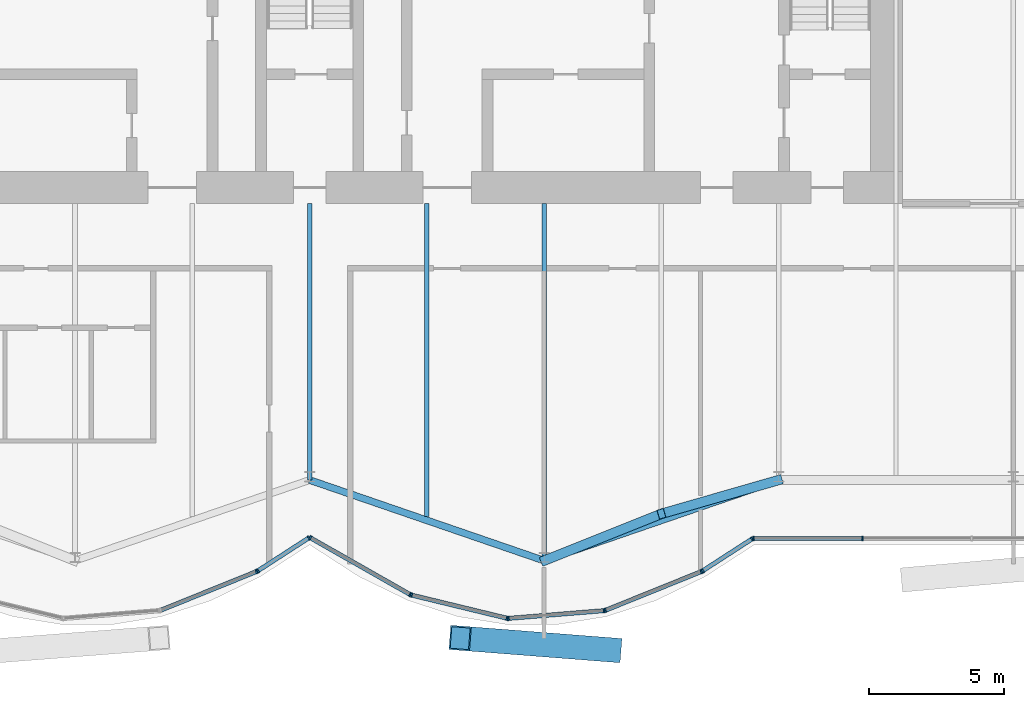
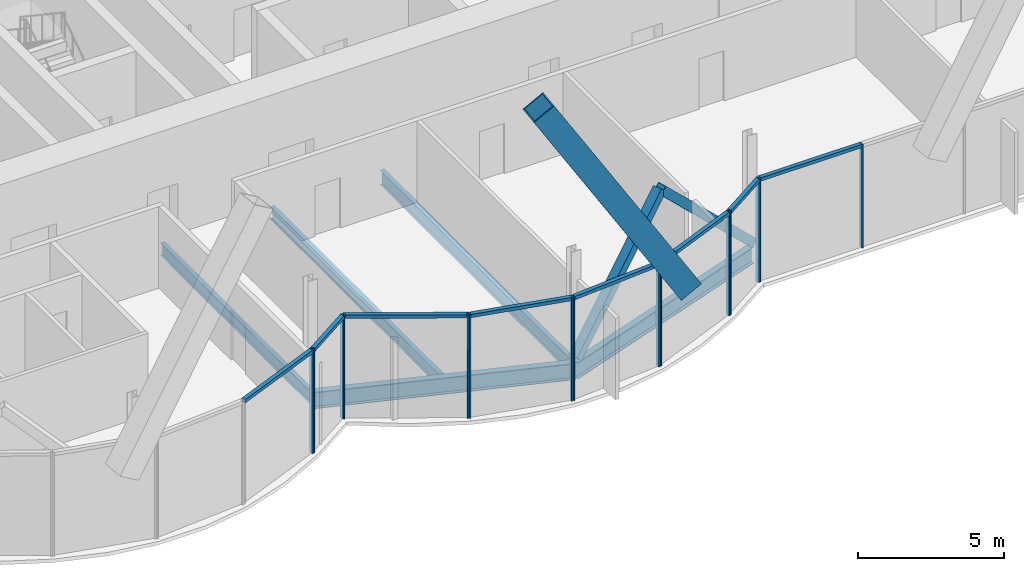
# One storey, part 8 of 19: 26 members, 5 beams, 3 elements without a shape of their own.
"""IFC4 building model written with IfcOpenShell, lengths in metres."""

from ifc_helpers import new_model, si_unit, direction, frame, origin, origin_2d, place, context, subcontext, project, spatial, rectangle, hollow_rectangle, i_section, extrude, material, material_profile, profile_set, type_object, element, aggregate, save


model = new_model("IFC4")

# Units and contexts
model_context = context("Model", 3, precision=1e-05, world=origin(), true_north=direction((0.0, 1.0)))
body_context = subcontext(model_context, "Body", "Model", "MODEL_VIEW")
ifc_project = project(units=[si_unit("LENGTHUNIT", "METRE"), si_unit("AREAUNIT", "SQUARE_METRE"), si_unit("VOLUMEUNIT", "CUBIC_METRE"), si_unit("PLANEANGLEUNIT", "RADIAN"), si_unit("MASSUNIT", "GRAM", prefix="KILO")], contexts=[model_context])

# Site, building, storey
site_placement = place(None, origin())
site = spatial("IfcSite", under=ifc_project, at=site_placement, CompositionType="ELEMENT")
building_placement = place(site_placement, origin())
building = spatial("IfcBuilding", under=site, at=building_placement, Name="Bicima Exchange Tower", CompositionType="ELEMENT")
storey_placement = place(building_placement, frame((0.0, 0.0, 324.5)))
storey = spatial("IfcBuildingStorey", under=building, at=storey_placement, Name="L73", CompositionType="ELEMENT", Elevation=324.5)

# Member
ifc_material_1 = material(Name="Steel ASTM A572 Gr 50", Category="steel")
ifc_material_profile_1 = material_profile(ifc_material_1, hollow_rectangle(XDim=0.89990234375, YDim=0.89990234375, WallThickness=0.050048828125, at=origin_2d()))
ifc_profile_set_1 = profile_set([ifc_material_profile_1], Name="Steel ASTM A572 Gr 50")
member_type_1 = type_object("IfcMemberType", Name="Exo mega brace BOX 900x900x50", PredefinedType="BRACE", material=ifc_profile_set_1)
member_1_placement = place(storey_placement, frame((11.166748046875, -29.551025390625, 4.166748046875), z_axis=(-0.520816033823, 0.040490201493, 0.852708157869), x_axis=(-0.077509883507, -0.996991583695, 0.0)))
element("IfcMember", 1, at=member_1_placement, inside=storey, type_object=member_type_1, Name="Exo mega brace front", PredefinedType="BRACE", context=body_context, shape_type="SweptSolid", body=[
    extrude(hollow_rectangle(XDim=0.89990234375, YDim=0.89990234375, WallThickness=0.050048828125, at=origin_2d()), origin(), (0.0, 0.0, 1.0), 10.720703125),
])

# Beams
ifc_material_2 = material(Name="Steel ASTM A992 Gr 50", Category="steel")
ifc_material_profile_2 = material_profile(ifc_material_2, i_section(OverallWidth=0.165771484375, OverallDepth=0.5283203125, WebThickness=0.009765625, FlangeThickness=0.013671875, at=origin_2d()))
ifc_profile_set_2 = profile_set([ifc_material_profile_2], Name="Steel ASTM A992 Gr 50")
beam_type_1 = type_object("IfcBeamType", Name="Floor beam W21x50", PredefinedType="JOIST", material=ifc_profile_set_2)
beam_1_placement = place(storey_placement, frame((0.0, -13.0, -0.414306640625), z_axis=(0.0, -1.0, 0.0), x_axis=(1.0, 0.0, 0.0)))
element("IfcBeam", 2, at=beam_1_placement, inside=storey, type_object=beam_type_1, Name="Floor beam", PredefinedType="JOIST", context=body_context, shape_type="SweptSolid", body=[
    extrude(i_section(OverallWidth=0.165771484375, OverallDepth=0.5283203125, WebThickness=0.009765625, FlangeThickness=0.013671875, at=origin_2d()), origin(), (0.0, 0.0, 1.0), 10.251953125),
])
beam_2_placement = place(storey_placement, frame((4.35009765625, -13.0, -0.414306640625), z_axis=(0.0, -1.0, 0.0), x_axis=(1.0, 0.0, 0.0)))
element("IfcBeam", 3, at=beam_2_placement, inside=storey, type_object=beam_type_1, Name="Floor beam", PredefinedType="JOIST", context=body_context, shape_type="SweptSolid", body=[
    extrude(i_section(OverallWidth=0.165771484375, OverallDepth=0.5283203125, WebThickness=0.009765625, FlangeThickness=0.013671875, at=origin_2d()), origin(), (0.0, 0.0, 1.0), 11.61181640625),
])
ifc_material_profile_3 = material_profile(ifc_material_2, i_section(OverallWidth=0.177978515625, OverallDepth=0.599365234375, WebThickness=0.010009765625, FlangeThickness=0.012939453125, at=origin_2d()))
ifc_profile_set_3 = profile_set([ifc_material_profile_3], Name="Steel ASTM A992 Gr 50")
beam_type_2 = type_object("IfcBeamType", Name="Floor beam W24x55", PredefinedType="JOIST", material=ifc_profile_set_3)
beam_3_placement = place(storey_placement, frame((8.699951171875, -13.0, -0.44970703125), z_axis=(0.0, -1.0, 0.0), x_axis=(1.0, 0.0, 0.0)))
element("IfcBeam", 4, at=beam_3_placement, inside=storey, type_object=beam_type_2, Name="Floor beam", PredefinedType="JOIST", context=body_context, shape_type="SweptSolid", body=[
    extrude(i_section(OverallWidth=0.177978515625, OverallDepth=0.599365234375, WebThickness=0.010009765625, FlangeThickness=0.012939453125, at=origin_2d()), origin(), (0.0, 0.0, 1.0), 13.107421875),
])
ifc_material_profile_4 = material_profile(ifc_material_2, i_section(OverallWidth=0.256591796875, OverallDepth=0.693359375, WebThickness=0.014404296875, FlangeThickness=0.023681640625, at=origin_2d()))
ifc_profile_set_4 = profile_set([ifc_material_profile_4], Name="Steel ASTM A992 Gr 50")
beam_type_3 = type_object("IfcBeamType", Name="Front girder W27x114", PredefinedType="BEAM", material=ifc_profile_set_4)
for number, where, z_axis, x_axis, name in (
    (5, (0.0, -23.251953125, -0.49658203125), (0.945666456746, -0.325138359143, 0.0), (0.325138359143, 0.945666456746, 0.0), "Front girder"),
    (6, (8.699951171875, -26.2431640625, -0.49658203125), (0.945666456746, 0.325138359143, 0.0), (-0.325138359143, 0.945666456746, 0.0), "Front girder"),
):
    element("IfcBeam", number, at=place(storey_placement, frame(where, z_axis=z_axis, x_axis=x_axis)), inside=storey, type_object=beam_type_3, Name=name, PredefinedType="BEAM", context=body_context, shape_type="SweptSolid", body=[
        extrude(i_section(OverallWidth=0.256591796875, OverallDepth=0.693359375, WebThickness=0.014404296875, FlangeThickness=0.023681640625, at=origin_2d()), origin(), (0.0, 0.0, 1.0), 9.19970703125),
    ])

# Curtain wall, members
ifc_material_3 = material(Name="Anodised bronze aluminium", Category="aluminium")
curtain_wall_type = type_object("IfcCurtainWallType", Name="Front glass wall", PredefinedType="NOTDEFINED", material=ifc_material_3)
curtain_wall_1_placement = place(storey_placement, origin())
curtain_wall_1 = element("IfcCurtainWall", 7, at=curtain_wall_1_placement, inside=storey, type_object=curtain_wall_type, Name="Front glass wall L73 run 6", PredefinedType="NOTDEFINED")
ifc_material_profile_5 = material_profile(ifc_material_3, rectangle(XDim=0.159912109375, YDim=0.06005859375, at=origin_2d()))
ifc_profile_set_5 = profile_set([ifc_material_profile_5], Name="Anodised bronze aluminium")
member_type_2 = type_object("IfcMemberType", Name="Front glass wall mullion 60 x 160", PredefinedType="MULLION", material=ifc_profile_set_5)
member_2_placement = place(storey_placement, frame((-1.97412109375, -26.647705078125, 0.0), z_axis=(0.0, 0.0, 1.0), x_axis=(-0.374705304, 0.92714396679, 0.0)))
member_2 = element("IfcMember", 8, at=member_2_placement, type_object=member_type_2, Name="Front glass wall mullion 2", PredefinedType="MULLION", context=body_context, shape_type="SweptSolid", body=[
    extrude(rectangle(XDim=0.159912109375, YDim=0.06005859375, at=origin_2d()), origin(), (0.0, 0.0, 1.0), 4.35009765625),
])
member_3_placement = place(storey_placement, frame((-1.921142578125, -26.6201171875, 0.0), z_axis=(0.0, 0.0, 1.0), x_axis=(-0.542897457326, 0.839798994301, 0.0)))
member_3 = element("IfcMember", 9, at=member_3_placement, type_object=member_type_2, Name="Front glass wall mullion 1", PredefinedType="MULLION", context=body_context, shape_type="SweptSolid", body=[
    extrude(rectangle(XDim=0.159912109375, YDim=0.06005859375, at=origin_2d()), origin(), (0.0, 0.0, 1.0), 4.35009765625),
])
member_4_placement = place(storey_placement, frame((-0.025146484375, -25.394287109375, 0.0), z_axis=(0.0, 0.0, 1.0), x_axis=(-0.542897457326, 0.839798994301, 0.0)))
member_4 = element("IfcMember", 10, at=member_4_placement, type_object=member_type_2, Name="Front glass wall mullion 2", PredefinedType="MULLION", context=body_context, shape_type="SweptSolid", body=[
    extrude(rectangle(XDim=0.159912109375, YDim=0.06005859375, at=origin_2d()), origin(), (0.0, 0.0, 1.0), 4.35009765625),
])

curtain_wall_2_placement = place(storey_placement, origin())
curtain_wall_2 = element("IfcCurtainWall", 11, at=curtain_wall_2_placement, inside=storey, type_object=curtain_wall_type, Name="Front glass wall L73 run 11", PredefinedType="NOTDEFINED")
member_5_placement = place(storey_placement, frame((0.026123046875, -25.39306640625, 0.0), z_axis=(0.0, 0.0, 1.0), x_axis=(0.494330311331, 0.869274147378, 0.0)))
member_5 = element("IfcMember", 12, at=member_5_placement, type_object=member_type_2, Name="Front glass wall mullion 1", PredefinedType="MULLION", context=body_context, shape_type="SweptSolid", body=[
    extrude(rectangle(XDim=0.159912109375, YDim=0.06005859375, at=origin_2d()), origin(), (0.0, 0.0, 1.0), 4.35009765625),
])
member_6_placement = place(storey_placement, frame((3.7265625, -27.497314453125, 0.0), z_axis=(0.0, 0.0, 1.0), x_axis=(0.494330311331, 0.869274147378, 0.0)))
member_6 = element("IfcMember", 13, at=member_6_placement, type_object=member_type_2, Name="Front glass wall mullion 2", PredefinedType="MULLION", context=body_context, shape_type="SweptSolid", body=[
    extrude(rectangle(XDim=0.159912109375, YDim=0.06005859375, at=origin_2d()), origin(), (0.0, 0.0, 1.0), 4.35009765625),
])
member_7_placement = place(storey_placement, frame((3.781982421875, -27.519287109375, 0.0), z_axis=(0.0, 0.0, 1.0), x_axis=(0.235681529503, 0.971830343553, 0.0)))
member_7 = element("IfcMember", 14, at=member_7_placement, type_object=member_type_2, Name="Front glass wall mullion 1", PredefinedType="MULLION", context=body_context, shape_type="SweptSolid", body=[
    extrude(rectangle(XDim=0.159912109375, YDim=0.06005859375, at=origin_2d()), origin(), (0.0, 0.0, 1.0), 4.35009765625),
])
member_8_placement = place(storey_placement, frame((7.322509765625, -28.3779296875, 0.0), z_axis=(0.0, 0.0, 1.0), x_axis=(0.235681529503, 0.971830343553, 0.0)))
member_8 = element("IfcMember", 15, at=member_8_placement, type_object=member_type_2, Name="Front glass wall mullion 2", PredefinedType="MULLION", context=body_context, shape_type="SweptSolid", body=[
    extrude(rectangle(XDim=0.159912109375, YDim=0.06005859375, at=origin_2d()), origin(), (0.0, 0.0, 1.0), 4.35009765625),
])
member_9_placement = place(storey_placement, frame((7.381591796875, -28.382568359375, 0.0), z_axis=(0.0, 0.0, 1.0), x_axis=(-0.080588612633, 0.99674744821, 0.0)))
member_9 = element("IfcMember", 16, at=member_9_placement, type_object=member_type_2, Name="Front glass wall mullion 1", PredefinedType="MULLION", context=body_context, shape_type="SweptSolid", body=[
    extrude(rectangle(XDim=0.159912109375, YDim=0.06005859375, at=origin_2d()), origin(), (0.0, 0.0, 1.0), 4.35009765625),
])
member_10_placement = place(storey_placement, frame((10.916015625, -28.0966796875, 0.0), z_axis=(0.0, 0.0, 1.0), x_axis=(-0.080588612633, 0.99674744821, 0.0)))
member_10 = element("IfcMember", 17, at=member_10_placement, type_object=member_type_2, Name="Front glass wall mullion 2", PredefinedType="MULLION", context=body_context, shape_type="SweptSolid", body=[
    extrude(rectangle(XDim=0.159912109375, YDim=0.06005859375, at=origin_2d()), origin(), (0.0, 0.0, 1.0), 4.35009765625),
])
member_11_placement = place(storey_placement, frame((10.973876953125, -28.083251953125, 0.0), z_axis=(0.0, 0.0, 1.0), x_axis=(-0.374705304, 0.92714396679, 0.0)))
member_11 = element("IfcMember", 18, at=member_11_placement, type_object=member_type_2, Name="Front glass wall mullion 1", PredefinedType="MULLION", context=body_context, shape_type="SweptSolid", body=[
    extrude(rectangle(XDim=0.159912109375, YDim=0.06005859375, at=origin_2d()), origin(), (0.0, 0.0, 1.0), 4.35009765625),
])
member_12_placement = place(storey_placement, frame((14.52587890625, -26.647705078125, 0.0), z_axis=(0.0, 0.0, 1.0), x_axis=(-0.374705304, 0.92714396679, 0.0)))
member_12 = element("IfcMember", 19, at=member_12_placement, type_object=member_type_2, Name="Front glass wall mullion 2", PredefinedType="MULLION", context=body_context, shape_type="SweptSolid", body=[
    extrude(rectangle(XDim=0.159912109375, YDim=0.06005859375, at=origin_2d()), origin(), (0.0, 0.0, 1.0), 4.35009765625),
])
member_13_placement = place(storey_placement, frame((14.578857421875, -26.6201171875, 0.0), z_axis=(0.0, 0.0, 1.0), x_axis=(-0.542909183079, 0.839791413941, 0.0)))
member_13 = element("IfcMember", 20, at=member_13_placement, type_object=member_type_2, Name="Front glass wall mullion 1", PredefinedType="MULLION", context=body_context, shape_type="SweptSolid", body=[
    extrude(rectangle(XDim=0.159912109375, YDim=0.06005859375, at=origin_2d()), origin(), (0.0, 0.0, 1.0), 4.35009765625),
])
member_14_placement = place(storey_placement, frame((16.406982421875, -25.438232421875, 0.0), z_axis=(0.0, 0.0, 1.0), x_axis=(-0.542909183079, 0.839791413941, 0.0)))
member_14 = element("IfcMember", 21, at=member_14_placement, type_object=member_type_2, Name="Front glass wall mullion 2", PredefinedType="MULLION", context=body_context, shape_type="SweptSolid", body=[
    extrude(rectangle(XDim=0.159912109375, YDim=0.06005859375, at=origin_2d()), origin(), (0.0, 0.0, 1.0), 4.35009765625),
])

curtain_wall_3_placement = place(storey_placement, origin())
curtain_wall_3 = element("IfcCurtainWall", 22, at=curtain_wall_3_placement, inside=storey, type_object=curtain_wall_type, Name="Front glass wall L73 run 16", PredefinedType="NOTDEFINED")
member_15_placement = place(storey_placement, frame((16.462158203125, -25.422119140625, 0.0), z_axis=(0.0, 0.0, 1.0), x_axis=(0.0, 1.0, 0.0)))
member_15 = element("IfcMember", 23, at=member_15_placement, type_object=member_type_2, Name="Front glass wall mullion 1", PredefinedType="MULLION", context=body_context, shape_type="SweptSolid", body=[
    extrude(rectangle(XDim=0.159912109375, YDim=0.06005859375, at=origin_2d()), origin(), (0.0, 0.0, 1.0), 4.35009765625),
])
member_16_placement = place(storey_placement, frame((20.51171875, -25.422119140625, 0.0), z_axis=(0.0, 0.0, 1.0), x_axis=(0.0, 1.0, 0.0)))
member_16 = element("IfcMember", 24, at=member_16_placement, type_object=member_type_2, Name="Front glass wall mullion 2", PredefinedType="MULLION", context=body_context, shape_type="SweptSolid", body=[
    extrude(rectangle(XDim=0.159912109375, YDim=0.06005859375, at=origin_2d()), origin(), (0.0, 0.0, 1.0), 4.35009765625),
])

# Member
ifc_material_profile_6 = material_profile(ifc_material_3, rectangle(XDim=0.159912109375, YDim=0.139892578125, at=origin_2d()))
ifc_profile_set_6 = profile_set([ifc_material_profile_6], Name="Anodised bronze aluminium")
member_type_3 = type_object("IfcMemberType", Name="Front glass wall transom 140 x 160", PredefinedType="USERDEFINED", material=ifc_profile_set_6)
member_17_placement = place(storey_placement, frame((-5.498291015625, -28.072021484375, 4.280029296875), z_axis=(0.927117723275, 0.374770232528, 0.0), x_axis=(-0.374770232528, 0.927117723275, 0.0)))
member_17 = element("IfcMember", 25, at=member_17_placement, type_object=member_type_3, Name="Front glass wall transom 1.1", ObjectType="TRANSOM", PredefinedType="USERDEFINED", context=body_context, shape_type="SweptSolid", body=[
    extrude(rectangle(XDim=0.159912109375, YDim=0.139892578125, at=origin_2d()), origin(), (0.0, 0.0, 1.0), 3.771240234375),
])

member_18_placement = place(storey_placement, frame((-1.89599609375, -26.603759765625, 4.280029296875), z_axis=(0.839811483481, 0.542878137536, 0.0), x_axis=(-0.542878137536, 0.839811483481, 0.0)))
member_18 = element("IfcMember", 26, at=member_18_placement, type_object=member_type_3, Name="Front glass wall transom 1.1", ObjectType="TRANSOM", PredefinedType="USERDEFINED", context=body_context, shape_type="SweptSolid", body=[
    extrude(rectangle(XDim=0.159912109375, YDim=0.139892578125, at=origin_2d()), origin(), (0.0, 0.0, 1.0), 2.19775390625),
])

aggregate(curtain_wall_1, [member_2, member_17, member_3, member_4, member_18])

member_19_placement = place(storey_placement, frame((0.05224609375, -25.40771484375, 4.280029296875), z_axis=(0.869265121745, -0.494346182466, 0.0), x_axis=(0.494346182466, 0.869265121745, 0.0)))
member_19 = element("IfcMember", 27, at=member_19_placement, type_object=member_type_3, Name="Front glass wall transom 1.1", ObjectType="TRANSOM", PredefinedType="USERDEFINED", context=body_context, shape_type="SweptSolid", body=[
    extrude(rectangle(XDim=0.159912109375, YDim=0.139892578125, at=origin_2d()), origin(), (0.0, 0.0, 1.0), 4.19677734375),
])

member_20_placement = place(storey_placement, frame((3.81103515625, -27.5263671875, 4.280029296875), z_axis=(0.971833557815, -0.235668275132, 0.0), x_axis=(0.235668275132, 0.971833557815, 0.0)))
member_20 = element("IfcMember", 28, at=member_20_placement, type_object=member_type_3, Name="Front glass wall transom 1.1", ObjectType="TRANSOM", PredefinedType="USERDEFINED", context=body_context, shape_type="SweptSolid", body=[
    extrude(rectangle(XDim=0.159912109375, YDim=0.139892578125, at=origin_2d()), origin(), (0.0, 0.0, 1.0), 3.583251953125),
])

member_21_placement = place(storey_placement, frame((7.41162109375, -28.380126953125, 4.280029296875), z_axis=(0.9967456465, 0.080610893699, 0.0), x_axis=(-0.080610893699, 0.9967456465, 0.0)))
member_21 = element("IfcMember", 29, at=member_21_placement, type_object=member_type_3, Name="Front glass wall transom 1.1", ObjectType="TRANSOM", PredefinedType="USERDEFINED", context=body_context, shape_type="SweptSolid", body=[
    extrude(rectangle(XDim=0.159912109375, YDim=0.139892578125, at=origin_2d()), origin(), (0.0, 0.0, 1.0), 3.48583984375),
])

member_22_placement = place(storey_placement, frame((11.001708984375, -28.072021484375, 4.280029296875), z_axis=(0.927117723275, 0.374770232528, 0.0), x_axis=(-0.374770232528, 0.927117723275, 0.0)))
member_22 = element("IfcMember", 30, at=member_22_placement, type_object=member_type_3, Name="Front glass wall transom 1.1", ObjectType="TRANSOM", PredefinedType="USERDEFINED", context=body_context, shape_type="SweptSolid", body=[
    extrude(rectangle(XDim=0.159912109375, YDim=0.139892578125, at=origin_2d()), origin(), (0.0, 0.0, 1.0), 3.771240234375),
])

member_23_placement = place(storey_placement, frame((14.60400390625, -26.603759765625, 4.280029296875), z_axis=(0.839792890287, 0.542906899407, 0.0), x_axis=(-0.542906899407, 0.839792890287, 0.0)))
member_23 = element("IfcMember", 31, at=member_23_placement, type_object=member_type_3, Name="Front glass wall transom 1.1", ObjectType="TRANSOM", PredefinedType="USERDEFINED", context=body_context, shape_type="SweptSolid", body=[
    extrude(rectangle(XDim=0.159912109375, YDim=0.139892578125, at=origin_2d()), origin(), (0.0, 0.0, 1.0), 2.11669921875),
])

aggregate(curtain_wall_2, [member_5, member_6, member_19, member_7, member_8, member_20, member_9, member_10, member_21, member_11, member_12, member_22, member_13, member_14, member_23])

member_24_placement = place(storey_placement, frame((16.4921875, -25.422119140625, 4.280029296875), z_axis=(1.0, 0.0, 0.0), x_axis=(0.0, 1.0, 0.0)))
member_24 = element("IfcMember", 32, at=member_24_placement, type_object=member_type_3, Name="Front glass wall transom 1.1", ObjectType="TRANSOM", PredefinedType="USERDEFINED", context=body_context, shape_type="SweptSolid", body=[
    extrude(rectangle(XDim=0.159912109375, YDim=0.139892578125, at=origin_2d()), origin(), (0.0, 0.0, 1.0), 3.989501953125),
])

aggregate(curtain_wall_3, [member_15, member_16, member_24])

# Members
ifc_material_profile_7 = material_profile(ifc_material_1, hollow_rectangle(XDim=0.355712890625, YDim=0.355712890625, WallThickness=0.01171875, at=origin_2d()))
ifc_profile_set_7 = profile_set([ifc_material_profile_7], Name="Steel ASTM A572 Gr 50")
member_type_4 = type_object("IfcMemberType", Name="Mega brace HSS14x14x1/2", PredefinedType="BRACE", material=ifc_profile_set_7)
member_25_placement = place(storey_placement, frame((8.699951171875, -26.2431640625, 0.0), z_axis=(0.669641624162, 0.267811550891, 0.692717163349), x_axis=(-0.3713367687, 0.928498252132, 0.0)))
element("IfcMember", 33, at=member_25_placement, inside=storey, type_object=member_type_4, Name="Mega brace front", PredefinedType="BRACE", context=body_context, shape_type="SweptSolid", body=[
    extrude(hollow_rectangle(XDim=0.355712890625, YDim=0.355712890625, WallThickness=0.01171875, at=origin_2d()), origin(), (0.0, 0.0, 1.0), 6.49609375),
])
member_26_placement = place(storey_placement, frame((17.39990234375, -23.251953125, 0.0), z_axis=(-0.681519101026, -0.196074923492, 0.705043501718), x_axis=(0.27648739579, -0.961017544049, 0.0)))
element("IfcMember", 34, at=member_26_placement, inside=storey, type_object=member_type_4, Name="Mega brace front", PredefinedType="BRACE", context=body_context, shape_type="SweptSolid", body=[
    extrude(hollow_rectangle(XDim=0.355712890625, YDim=0.355712890625, WallThickness=0.01171875, at=origin_2d()), origin(), (0.0, 0.0, 1.0), 6.382568359375),
])

save(model, "model.ifc")
